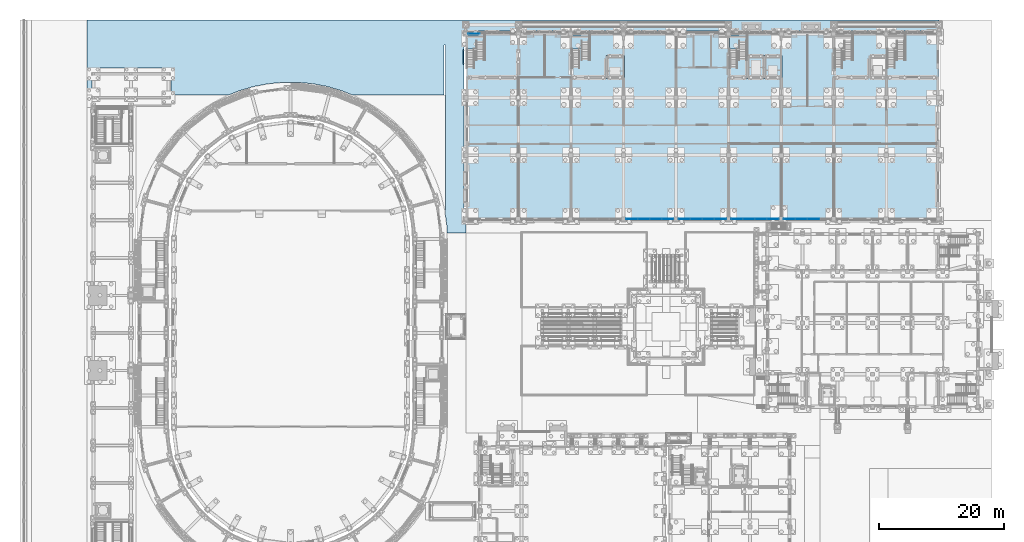
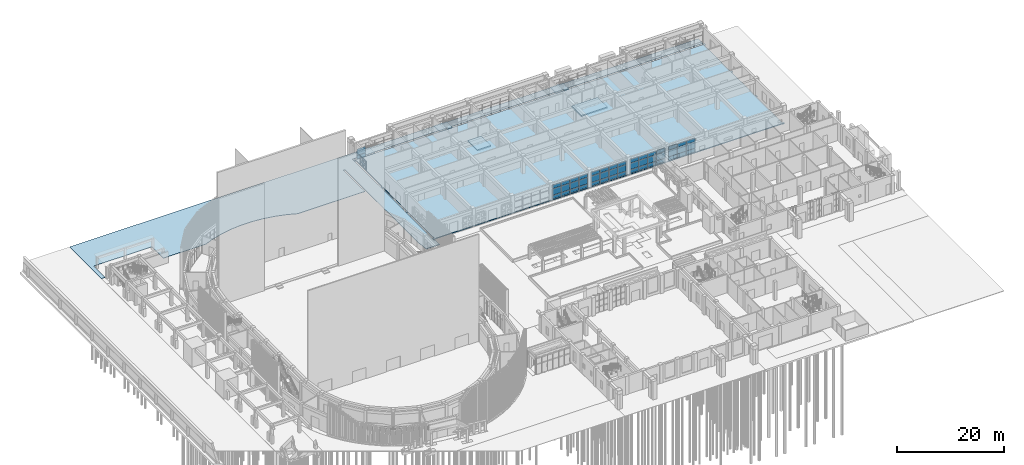
# One storey, part 55 of 112: 48 plates, 7 slabs, 8 elements without a shape of their own.
"""IFC4 building model written with IfcOpenShell, lengths in metres."""

from ifc_helpers import new_model, si_unit, direction, frame, origin, origin_2d, place, context, subcontext, project, spatial, polyline, rectangle, outline, extrude, material, layer, layer_set, material_profile, profile_set, type_object, element, aggregate, save


model = new_model("IFC4")

# Units and contexts
model_context = context("Model", 3, precision=1e-05, world=origin(), true_north=direction((0.0, 1.0)))
body_context = subcontext(model_context, "Body", "Model", "MODEL_VIEW")
ifc_project = project(units=[si_unit("LENGTHUNIT", "METRE"), si_unit("AREAUNIT", "SQUARE_METRE"), si_unit("VOLUMEUNIT", "CUBIC_METRE"), si_unit("PLANEANGLEUNIT", "RADIAN"), si_unit("MASSUNIT", "GRAM", prefix="KILO")], contexts=[model_context])

# Site, building, storey
site_placement = place(None, origin())
site = spatial("IfcSite", under=ifc_project, at=site_placement, CompositionType="ELEMENT")
building_placement = place(site_placement, origin())
building = spatial("IfcBuilding", under=site, at=building_placement, Name="Wasatch Bagh Community Centre", CompositionType="ELEMENT")
storey_placement = place(building_placement, origin())
storey = spatial("IfcBuildingStorey", under=building, at=storey_placement, Name="L00", CompositionType="ELEMENT", Elevation=0.0)

# Slab
ifc_material_1 = material(Name="Concrete C30", Category="concrete")
ifc_layer_1 = layer(ifc_material_1, 0.169921875)
ifc_layer_set_1 = layer_set([ifc_layer_1], Name="Concrete C30")
slab_type_1 = type_object("IfcSlabType", Name="FD-SG-LW", PredefinedType="BASESLAB", material=ifc_layer_set_1)
slab_1_placement = place(storey_placement, frame((0.0, 0.0, -0.169921875)))
element("IfcSlab", 1, at=slab_1_placement, inside=storey, type_object=slab_type_1, Name="Slab on grade LW", PredefinedType="BASESLAB", context=body_context, shape_type="SweptSolid", body=[
    extrude(outline(polyline([(64.10009765625, 68.39990234375), (64.10009765625, 78.199951171875), (63.800048828125, 78.199951171875), (63.800048828125, 78.60009765625), (64.10009765625, 78.60009765625), (64.10009765625, 87.39990234375), (63.800048828125, 87.39990234375), (63.800048828125, 87.800048828125), (64.10009765625, 87.800048828125), (64.10009765625, 97.60009765625), (63.800048828125, 97.60009765625), (63.800048828125, 98.0), (64.199951171875, 98.0), (64.199951171875, 97.89990234375), (139.39990234375, 97.89990234375), (139.39990234375, 98.0), (139.800048828125, 98.0), (139.800048828125, 97.60009765625), (139.5, 97.60009765625), (139.5, 87.800048828125), (139.800048828125, 87.800048828125), (139.800048828125, 87.39990234375), (139.5, 87.39990234375), (139.5, 78.60009765625), (139.800048828125, 78.60009765625), (139.800048828125, 78.199951171875), (139.5, 78.199951171875), (139.5, 68.39990234375), (139.800048828125, 68.39990234375), (139.800048828125, 68.0), (139.39990234375, 68.0), (139.39990234375, 68.10009765625), (64.199951171875, 68.10009765625), (64.199951171875, 68.0), (63.800048828125, 68.0), (63.800048828125, 68.39990234375), (64.10009765625, 68.39990234375)])), origin(), (0.0, 0.0, 1.0), 0.169921875),
])

# Curtain wall, plates
ifc_material_2 = material(Name="Aluminium curtain wall frame with low-iron glass", Category="aluminium")
ifc_layer_2 = layer(ifc_material_2, 0.10009765625)
ifc_layer_set_2 = layer_set([ifc_layer_2], Name="Aluminium curtain wall frame with low-iron glass")
curtain_wall_type_1 = type_object("IfcCurtainWallType", Name="LW curtain wall 100", PredefinedType="NOTDEFINED", material=ifc_layer_set_2)
curtain_wall_1_placement = place(storey_placement, origin())
curtain_wall_1 = element("IfcCurtainWall", 2, at=curtain_wall_1_placement, inside=storey, type_object=curtain_wall_type_1, Name="Curtain wall 00.06", PredefinedType="NOTDEFINED")
ifc_material_3 = material(Name="Low-iron insulated glass", Category="glass")
ifc_layer_3 = layer(ifc_material_3, 0.028076171875)
ifc_layer_set_3 = layer_set([ifc_layer_3], Name="Low-iron insulated glass")
plate_type_1 = type_object("IfcPlateType", Name="LW curtain wall panel 28", PredefinedType="CURTAIN_PANEL", material=ifc_layer_set_3)
plate_1_placement = place(storey_placement, frame((65.327392578125, 97.800048828125, 0.06005859375), z_axis=(0.0, 0.0, 1.0), x_axis=(1.0, 0.0, 0.0)))
plate_1 = element("IfcPlate", 3, at=plate_1_placement, type_object=plate_type_1, Name="LW-CW1 panel 1.1", PredefinedType="CURTAIN_PANEL", context=body_context, shape_type="SweptSolid", body=[
    extrude(rectangle(XDim=1.8349609375, YDim=0.028076171875, at=origin_2d()), origin(), (0.0, 0.0, 1.0), 0.81005859375),
])
plate_2_placement = place(storey_placement, frame((65.327392578125, 97.800048828125, 0.929931640625), z_axis=(0.0, 0.0, 1.0), x_axis=(1.0, 0.0, 0.0)))
plate_2 = element("IfcPlate", 4, at=plate_2_placement, type_object=plate_type_1, Name="LW-CW1 panel 1.2", PredefinedType="CURTAIN_PANEL", context=body_context, shape_type="SweptSolid", body=[
    extrude(rectangle(XDim=1.8349609375, YDim=0.028076171875, at=origin_2d()), origin(), (0.0, 0.0, 1.0), 1.43994140625),
])
aggregate(curtain_wall_1, [plate_1, plate_2])

ifc_layer_4 = layer(ifc_material_2, 0.139892578125)
ifc_layer_set_4 = layer_set([ifc_layer_4], Name="Aluminium curtain wall frame with low-iron glass")
curtain_wall_type_2 = type_object("IfcCurtainWallType", Name="LW terrace front curtain wall 140", PredefinedType="NOTDEFINED", material=ifc_layer_set_4)
curtain_wall_2_placement = place(storey_placement, origin())
curtain_wall_2 = element("IfcCurtainWall", 5, at=curtain_wall_2_placement, inside=storey, type_object=curtain_wall_type_2, Name="Curtain wall 00.02", PredefinedType="NOTDEFINED")
ifc_layer_5 = layer(ifc_material_3, 0.028076171875)
ifc_layer_set_5 = layer_set([ifc_layer_5], Name="Low-iron insulated glass")
plate_type_2 = type_object("IfcPlateType", Name="LW curtain wall panel 28 LW-CW3", PredefinedType="CURTAIN_PANEL", material=ifc_layer_set_5)
plate_3_placement = place(storey_placement, frame((90.527587890625, 68.199951171875, 0.06005859375), z_axis=(0.0, 0.0, 1.0), x_axis=(1.0, 0.0, 0.0)))
plate_3 = element("IfcPlate", 6, at=plate_3_placement, type_object=plate_type_2, Name="LW-CW3 panel 1.1", PredefinedType="CURTAIN_PANEL", context=body_context, shape_type="SweptSolid", body=[
    extrude(rectangle(XDim=1.8349609375, YDim=0.028076171875, at=origin_2d()), origin(), (0.0, 0.0, 1.0), 0.81005859375),
])
plate_4_placement = place(storey_placement, frame((90.527587890625, 68.199951171875, 0.929931640625), z_axis=(0.0, 0.0, 1.0), x_axis=(1.0, 0.0, 0.0)))
plate_4 = element("IfcPlate", 7, at=plate_4_placement, type_object=plate_type_2, Name="LW-CW3 panel 1.2", PredefinedType="CURTAIN_PANEL", context=body_context, shape_type="SweptSolid", body=[
    extrude(rectangle(XDim=1.8349609375, YDim=0.028076171875, at=origin_2d()), origin(), (0.0, 0.0, 1.0), 1.43994140625),
])
plate_5_placement = place(storey_placement, frame((90.527587890625, 68.199951171875, 2.429931640625), z_axis=(0.0, 0.0, 1.0), x_axis=(1.0, 0.0, 0.0)))
plate_5 = element("IfcPlate", 8, at=plate_5_placement, type_object=plate_type_2, Name="LW-CW3 panel 1.3", PredefinedType="CURTAIN_PANEL", context=body_context, shape_type="SweptSolid", body=[
    extrude(rectangle(XDim=1.8349609375, YDim=0.028076171875, at=origin_2d()), origin(), (0.0, 0.0, 1.0), 0.830078125),
])
plate_6_placement = place(storey_placement, frame((92.4375, 68.199951171875, 0.06005859375), z_axis=(0.0, 0.0, 1.0), x_axis=(1.0, 0.0, 0.0)))
plate_6 = element("IfcPlate", 9, at=plate_6_placement, type_object=plate_type_2, Name="LW-CW3 panel 2.1", PredefinedType="CURTAIN_PANEL", context=body_context, shape_type="SweptSolid", body=[
    extrude(rectangle(XDim=1.864990234375, YDim=0.028076171875, at=origin_2d()), origin(), (0.0, 0.0, 1.0), 0.81005859375),
])
plate_7_placement = place(storey_placement, frame((92.4375, 68.199951171875, 0.929931640625), z_axis=(0.0, 0.0, 1.0), x_axis=(1.0, 0.0, 0.0)))
plate_7 = element("IfcPlate", 10, at=plate_7_placement, type_object=plate_type_2, Name="LW-CW3 panel 2.2", PredefinedType="CURTAIN_PANEL", context=body_context, shape_type="SweptSolid", body=[
    extrude(rectangle(XDim=1.864990234375, YDim=0.028076171875, at=origin_2d()), origin(), (0.0, 0.0, 1.0), 1.43994140625),
])
plate_8_placement = place(storey_placement, frame((92.4375, 68.199951171875, 2.429931640625), z_axis=(0.0, 0.0, 1.0), x_axis=(1.0, 0.0, 0.0)))
plate_8 = element("IfcPlate", 11, at=plate_8_placement, type_object=plate_type_2, Name="LW-CW3 panel 2.3", PredefinedType="CURTAIN_PANEL", context=body_context, shape_type="SweptSolid", body=[
    extrude(rectangle(XDim=1.864990234375, YDim=0.028076171875, at=origin_2d()), origin(), (0.0, 0.0, 1.0), 0.830078125),
])
plate_9_placement = place(storey_placement, frame((94.362548828125, 68.199951171875, 0.06005859375), z_axis=(0.0, 0.0, 1.0), x_axis=(1.0, 0.0, 0.0)))
plate_9 = element("IfcPlate", 12, at=plate_9_placement, type_object=plate_type_2, Name="LW-CW3 panel 3.1", PredefinedType="CURTAIN_PANEL", context=body_context, shape_type="SweptSolid", body=[
    extrude(rectangle(XDim=1.864990234375, YDim=0.028076171875, at=origin_2d()), origin(), (0.0, 0.0, 1.0), 0.81005859375),
])
plate_10_placement = place(storey_placement, frame((94.362548828125, 68.199951171875, 0.929931640625), z_axis=(0.0, 0.0, 1.0), x_axis=(1.0, 0.0, 0.0)))
plate_10 = element("IfcPlate", 13, at=plate_10_placement, type_object=plate_type_2, Name="LW-CW3 panel 3.2", PredefinedType="CURTAIN_PANEL", context=body_context, shape_type="SweptSolid", body=[
    extrude(rectangle(XDim=1.864990234375, YDim=0.028076171875, at=origin_2d()), origin(), (0.0, 0.0, 1.0), 1.43994140625),
])
plate_11_placement = place(storey_placement, frame((94.362548828125, 68.199951171875, 2.429931640625), z_axis=(0.0, 0.0, 1.0), x_axis=(1.0, 0.0, 0.0)))
plate_11 = element("IfcPlate", 14, at=plate_11_placement, type_object=plate_type_2, Name="LW-CW3 panel 3.3", PredefinedType="CURTAIN_PANEL", context=body_context, shape_type="SweptSolid", body=[
    extrude(rectangle(XDim=1.864990234375, YDim=0.028076171875, at=origin_2d()), origin(), (0.0, 0.0, 1.0), 0.830078125),
])
plate_12_placement = place(storey_placement, frame((96.2724609375, 68.199951171875, 0.06005859375), z_axis=(0.0, 0.0, 1.0), x_axis=(1.0, 0.0, 0.0)))
plate_12 = element("IfcPlate", 15, at=plate_12_placement, type_object=plate_type_2, Name="LW-CW3 panel 4.1", PredefinedType="CURTAIN_PANEL", context=body_context, shape_type="SweptSolid", body=[
    extrude(rectangle(XDim=1.8349609375, YDim=0.028076171875, at=origin_2d()), origin(), (0.0, 0.0, 1.0), 0.81005859375),
])
plate_13_placement = place(storey_placement, frame((96.2724609375, 68.199951171875, 0.929931640625), z_axis=(0.0, 0.0, 1.0), x_axis=(1.0, 0.0, 0.0)))
plate_13 = element("IfcPlate", 16, at=plate_13_placement, type_object=plate_type_2, Name="LW-CW3 panel 4.2", PredefinedType="CURTAIN_PANEL", context=body_context, shape_type="SweptSolid", body=[
    extrude(rectangle(XDim=1.8349609375, YDim=0.028076171875, at=origin_2d()), origin(), (0.0, 0.0, 1.0), 1.43994140625),
])
plate_14_placement = place(storey_placement, frame((96.2724609375, 68.199951171875, 2.429931640625), z_axis=(0.0, 0.0, 1.0), x_axis=(1.0, 0.0, 0.0)))
plate_14 = element("IfcPlate", 17, at=plate_14_placement, type_object=plate_type_2, Name="LW-CW3 panel 4.3", PredefinedType="CURTAIN_PANEL", context=body_context, shape_type="SweptSolid", body=[
    extrude(rectangle(XDim=1.8349609375, YDim=0.028076171875, at=origin_2d()), origin(), (0.0, 0.0, 1.0), 0.830078125),
])
aggregate(curtain_wall_2, [plate_3, plate_4, plate_5, plate_6, plate_7, plate_8, plate_9, plate_10, plate_11, plate_12, plate_13, plate_14])

curtain_wall_3_placement = place(storey_placement, origin())
curtain_wall_3 = element("IfcCurtainWall", 18, at=curtain_wall_3_placement, inside=storey, type_object=curtain_wall_type_2, Name="Curtain wall 00.03", PredefinedType="NOTDEFINED")
plate_15_placement = place(storey_placement, frame((98.927490234375, 68.199951171875, 0.06005859375), z_axis=(0.0, 0.0, 1.0), x_axis=(1.0, 0.0, 0.0)))
plate_15 = element("IfcPlate", 19, at=plate_15_placement, type_object=plate_type_2, Name="LW-CW3 panel 1.1", PredefinedType="CURTAIN_PANEL", context=body_context, shape_type="SweptSolid", body=[
    extrude(rectangle(XDim=1.8349609375, YDim=0.028076171875, at=origin_2d()), origin(), (0.0, 0.0, 1.0), 0.81005859375),
])
plate_16_placement = place(storey_placement, frame((98.927490234375, 68.199951171875, 0.929931640625), z_axis=(0.0, 0.0, 1.0), x_axis=(1.0, 0.0, 0.0)))
plate_16 = element("IfcPlate", 20, at=plate_16_placement, type_object=plate_type_2, Name="LW-CW3 panel 1.2", PredefinedType="CURTAIN_PANEL", context=body_context, shape_type="SweptSolid", body=[
    extrude(rectangle(XDim=1.8349609375, YDim=0.028076171875, at=origin_2d()), origin(), (0.0, 0.0, 1.0), 1.43994140625),
])
plate_17_placement = place(storey_placement, frame((98.927490234375, 68.199951171875, 2.429931640625), z_axis=(0.0, 0.0, 1.0), x_axis=(1.0, 0.0, 0.0)))
plate_17 = element("IfcPlate", 21, at=plate_17_placement, type_object=plate_type_2, Name="LW-CW3 panel 1.3", PredefinedType="CURTAIN_PANEL", context=body_context, shape_type="SweptSolid", body=[
    extrude(rectangle(XDim=1.8349609375, YDim=0.028076171875, at=origin_2d()), origin(), (0.0, 0.0, 1.0), 0.830078125),
])
plate_18_placement = place(storey_placement, frame((100.83740234375, 68.199951171875, 0.06005859375), z_axis=(0.0, 0.0, 1.0), x_axis=(1.0, 0.0, 0.0)))
plate_18 = element("IfcPlate", 22, at=plate_18_placement, type_object=plate_type_2, Name="LW-CW3 panel 2.1", PredefinedType="CURTAIN_PANEL", context=body_context, shape_type="SweptSolid", body=[
    extrude(rectangle(XDim=1.864990234375, YDim=0.028076171875, at=origin_2d()), origin(), (0.0, 0.0, 1.0), 0.81005859375),
])
plate_19_placement = place(storey_placement, frame((100.83740234375, 68.199951171875, 0.929931640625), z_axis=(0.0, 0.0, 1.0), x_axis=(1.0, 0.0, 0.0)))
plate_19 = element("IfcPlate", 23, at=plate_19_placement, type_object=plate_type_2, Name="LW-CW3 panel 2.2", PredefinedType="CURTAIN_PANEL", context=body_context, shape_type="SweptSolid", body=[
    extrude(rectangle(XDim=1.864990234375, YDim=0.028076171875, at=origin_2d()), origin(), (0.0, 0.0, 1.0), 1.43994140625),
])
plate_20_placement = place(storey_placement, frame((100.83740234375, 68.199951171875, 2.429931640625), z_axis=(0.0, 0.0, 1.0), x_axis=(1.0, 0.0, 0.0)))
plate_20 = element("IfcPlate", 24, at=plate_20_placement, type_object=plate_type_2, Name="LW-CW3 panel 2.3", PredefinedType="CURTAIN_PANEL", context=body_context, shape_type="SweptSolid", body=[
    extrude(rectangle(XDim=1.864990234375, YDim=0.028076171875, at=origin_2d()), origin(), (0.0, 0.0, 1.0), 0.830078125),
])
plate_21_placement = place(storey_placement, frame((102.762451171875, 68.199951171875, 0.06005859375), z_axis=(0.0, 0.0, 1.0), x_axis=(1.0, 0.0, 0.0)))
plate_21 = element("IfcPlate", 25, at=plate_21_placement, type_object=plate_type_2, Name="LW-CW3 panel 3.1", PredefinedType="CURTAIN_PANEL", context=body_context, shape_type="SweptSolid", body=[
    extrude(rectangle(XDim=1.864990234375, YDim=0.028076171875, at=origin_2d()), origin(), (0.0, 0.0, 1.0), 0.81005859375),
])
plate_22_placement = place(storey_placement, frame((102.762451171875, 68.199951171875, 0.929931640625), z_axis=(0.0, 0.0, 1.0), x_axis=(1.0, 0.0, 0.0)))
plate_22 = element("IfcPlate", 26, at=plate_22_placement, type_object=plate_type_2, Name="LW-CW3 panel 3.2", PredefinedType="CURTAIN_PANEL", context=body_context, shape_type="SweptSolid", body=[
    extrude(rectangle(XDim=1.864990234375, YDim=0.028076171875, at=origin_2d()), origin(), (0.0, 0.0, 1.0), 1.43994140625),
])
plate_23_placement = place(storey_placement, frame((102.762451171875, 68.199951171875, 2.429931640625), z_axis=(0.0, 0.0, 1.0), x_axis=(1.0, 0.0, 0.0)))
plate_23 = element("IfcPlate", 27, at=plate_23_placement, type_object=plate_type_2, Name="LW-CW3 panel 3.3", PredefinedType="CURTAIN_PANEL", context=body_context, shape_type="SweptSolid", body=[
    extrude(rectangle(XDim=1.864990234375, YDim=0.028076171875, at=origin_2d()), origin(), (0.0, 0.0, 1.0), 0.830078125),
])
plate_24_placement = place(storey_placement, frame((104.672607421875, 68.199951171875, 0.06005859375), z_axis=(0.0, 0.0, 1.0), x_axis=(1.0, 0.0, 0.0)))
plate_24 = element("IfcPlate", 28, at=plate_24_placement, type_object=plate_type_2, Name="LW-CW3 panel 4.1", PredefinedType="CURTAIN_PANEL", context=body_context, shape_type="SweptSolid", body=[
    extrude(rectangle(XDim=1.8349609375, YDim=0.028076171875, at=origin_2d()), origin(), (0.0, 0.0, 1.0), 0.81005859375),
])
plate_25_placement = place(storey_placement, frame((104.672607421875, 68.199951171875, 0.929931640625), z_axis=(0.0, 0.0, 1.0), x_axis=(1.0, 0.0, 0.0)))
plate_25 = element("IfcPlate", 29, at=plate_25_placement, type_object=plate_type_2, Name="LW-CW3 panel 4.2", PredefinedType="CURTAIN_PANEL", context=body_context, shape_type="SweptSolid", body=[
    extrude(rectangle(XDim=1.8349609375, YDim=0.028076171875, at=origin_2d()), origin(), (0.0, 0.0, 1.0), 1.43994140625),
])
plate_26_placement = place(storey_placement, frame((104.672607421875, 68.199951171875, 2.429931640625), z_axis=(0.0, 0.0, 1.0), x_axis=(1.0, 0.0, 0.0)))
plate_26 = element("IfcPlate", 30, at=plate_26_placement, type_object=plate_type_2, Name="LW-CW3 panel 4.3", PredefinedType="CURTAIN_PANEL", context=body_context, shape_type="SweptSolid", body=[
    extrude(rectangle(XDim=1.8349609375, YDim=0.028076171875, at=origin_2d()), origin(), (0.0, 0.0, 1.0), 0.830078125),
])
aggregate(curtain_wall_3, [plate_15, plate_16, plate_17, plate_18, plate_19, plate_20, plate_21, plate_22, plate_23, plate_24, plate_25, plate_26])

curtain_wall_4_placement = place(storey_placement, origin())
curtain_wall_4 = element("IfcCurtainWall", 31, at=curtain_wall_4_placement, inside=storey, type_object=curtain_wall_type_2, Name="Curtain wall 00.04", PredefinedType="NOTDEFINED")
plate_27_placement = place(storey_placement, frame((107.327392578125, 68.199951171875, 0.06005859375), z_axis=(0.0, 0.0, 1.0), x_axis=(1.0, 0.0, 0.0)))
plate_27 = element("IfcPlate", 32, at=plate_27_placement, type_object=plate_type_2, Name="LW-CW3 panel 1.1", PredefinedType="CURTAIN_PANEL", context=body_context, shape_type="SweptSolid", body=[
    extrude(rectangle(XDim=1.8349609375, YDim=0.028076171875, at=origin_2d()), origin(), (0.0, 0.0, 1.0), 0.81005859375),
])
plate_28_placement = place(storey_placement, frame((107.327392578125, 68.199951171875, 0.929931640625), z_axis=(0.0, 0.0, 1.0), x_axis=(1.0, 0.0, 0.0)))
plate_28 = element("IfcPlate", 33, at=plate_28_placement, type_object=plate_type_2, Name="LW-CW3 panel 1.2", PredefinedType="CURTAIN_PANEL", context=body_context, shape_type="SweptSolid", body=[
    extrude(rectangle(XDim=1.8349609375, YDim=0.028076171875, at=origin_2d()), origin(), (0.0, 0.0, 1.0), 1.43994140625),
])
plate_29_placement = place(storey_placement, frame((107.327392578125, 68.199951171875, 2.429931640625), z_axis=(0.0, 0.0, 1.0), x_axis=(1.0, 0.0, 0.0)))
plate_29 = element("IfcPlate", 34, at=plate_29_placement, type_object=plate_type_2, Name="LW-CW3 panel 1.3", PredefinedType="CURTAIN_PANEL", context=body_context, shape_type="SweptSolid", body=[
    extrude(rectangle(XDim=1.8349609375, YDim=0.028076171875, at=origin_2d()), origin(), (0.0, 0.0, 1.0), 0.830078125),
])
plate_30_placement = place(storey_placement, frame((109.237548828125, 68.199951171875, 0.06005859375), z_axis=(0.0, 0.0, 1.0), x_axis=(1.0, 0.0, 0.0)))
plate_30 = element("IfcPlate", 35, at=plate_30_placement, type_object=plate_type_2, Name="LW-CW3 panel 2.1", PredefinedType="CURTAIN_PANEL", context=body_context, shape_type="SweptSolid", body=[
    extrude(rectangle(XDim=1.864990234375, YDim=0.028076171875, at=origin_2d()), origin(), (0.0, 0.0, 1.0), 0.81005859375),
])
plate_31_placement = place(storey_placement, frame((109.237548828125, 68.199951171875, 0.929931640625), z_axis=(0.0, 0.0, 1.0), x_axis=(1.0, 0.0, 0.0)))
plate_31 = element("IfcPlate", 36, at=plate_31_placement, type_object=plate_type_2, Name="LW-CW3 panel 2.2", PredefinedType="CURTAIN_PANEL", context=body_context, shape_type="SweptSolid", body=[
    extrude(rectangle(XDim=1.864990234375, YDim=0.028076171875, at=origin_2d()), origin(), (0.0, 0.0, 1.0), 1.43994140625),
])
plate_32_placement = place(storey_placement, frame((109.237548828125, 68.199951171875, 2.429931640625), z_axis=(0.0, 0.0, 1.0), x_axis=(1.0, 0.0, 0.0)))
plate_32 = element("IfcPlate", 37, at=plate_32_placement, type_object=plate_type_2, Name="LW-CW3 panel 2.3", PredefinedType="CURTAIN_PANEL", context=body_context, shape_type="SweptSolid", body=[
    extrude(rectangle(XDim=1.864990234375, YDim=0.028076171875, at=origin_2d()), origin(), (0.0, 0.0, 1.0), 0.830078125),
])
plate_33_placement = place(storey_placement, frame((111.16259765625, 68.199951171875, 0.06005859375), z_axis=(0.0, 0.0, 1.0), x_axis=(1.0, 0.0, 0.0)))
plate_33 = element("IfcPlate", 38, at=plate_33_placement, type_object=plate_type_2, Name="LW-CW3 panel 3.1", PredefinedType="CURTAIN_PANEL", context=body_context, shape_type="SweptSolid", body=[
    extrude(rectangle(XDim=1.864990234375, YDim=0.028076171875, at=origin_2d()), origin(), (0.0, 0.0, 1.0), 0.81005859375),
])
plate_34_placement = place(storey_placement, frame((111.16259765625, 68.199951171875, 0.929931640625), z_axis=(0.0, 0.0, 1.0), x_axis=(1.0, 0.0, 0.0)))
plate_34 = element("IfcPlate", 39, at=plate_34_placement, type_object=plate_type_2, Name="LW-CW3 panel 3.2", PredefinedType="CURTAIN_PANEL", context=body_context, shape_type="SweptSolid", body=[
    extrude(rectangle(XDim=1.864990234375, YDim=0.028076171875, at=origin_2d()), origin(), (0.0, 0.0, 1.0), 1.43994140625),
])
plate_35_placement = place(storey_placement, frame((111.16259765625, 68.199951171875, 2.429931640625), z_axis=(0.0, 0.0, 1.0), x_axis=(1.0, 0.0, 0.0)))
plate_35 = element("IfcPlate", 40, at=plate_35_placement, type_object=plate_type_2, Name="LW-CW3 panel 3.3", PredefinedType="CURTAIN_PANEL", context=body_context, shape_type="SweptSolid", body=[
    extrude(rectangle(XDim=1.864990234375, YDim=0.028076171875, at=origin_2d()), origin(), (0.0, 0.0, 1.0), 0.830078125),
])
plate_36_placement = place(storey_placement, frame((113.072509765625, 68.199951171875, 0.06005859375), z_axis=(0.0, 0.0, 1.0), x_axis=(1.0, 0.0, 0.0)))
plate_36 = element("IfcPlate", 41, at=plate_36_placement, type_object=plate_type_2, Name="LW-CW3 panel 4.1", PredefinedType="CURTAIN_PANEL", context=body_context, shape_type="SweptSolid", body=[
    extrude(rectangle(XDim=1.8349609375, YDim=0.028076171875, at=origin_2d()), origin(), (0.0, 0.0, 1.0), 0.81005859375),
])
plate_37_placement = place(storey_placement, frame((113.072509765625, 68.199951171875, 0.929931640625), z_axis=(0.0, 0.0, 1.0), x_axis=(1.0, 0.0, 0.0)))
plate_37 = element("IfcPlate", 42, at=plate_37_placement, type_object=plate_type_2, Name="LW-CW3 panel 4.2", PredefinedType="CURTAIN_PANEL", context=body_context, shape_type="SweptSolid", body=[
    extrude(rectangle(XDim=1.8349609375, YDim=0.028076171875, at=origin_2d()), origin(), (0.0, 0.0, 1.0), 1.43994140625),
])
plate_38_placement = place(storey_placement, frame((113.072509765625, 68.199951171875, 2.429931640625), z_axis=(0.0, 0.0, 1.0), x_axis=(1.0, 0.0, 0.0)))
plate_38 = element("IfcPlate", 43, at=plate_38_placement, type_object=plate_type_2, Name="LW-CW3 panel 4.3", PredefinedType="CURTAIN_PANEL", context=body_context, shape_type="SweptSolid", body=[
    extrude(rectangle(XDim=1.8349609375, YDim=0.028076171875, at=origin_2d()), origin(), (0.0, 0.0, 1.0), 0.830078125),
])
aggregate(curtain_wall_4, [plate_27, plate_28, plate_29, plate_30, plate_31, plate_32, plate_33, plate_34, plate_35, plate_36, plate_37, plate_38])

curtain_wall_5_placement = place(storey_placement, origin())
curtain_wall_5 = element("IfcCurtainWall", 44, at=curtain_wall_5_placement, inside=storey, type_object=curtain_wall_type_2, Name="Curtain wall 00.05", PredefinedType="NOTDEFINED")
plate_39_placement = place(storey_placement, frame((115.7275390625, 68.199951171875, 0.06005859375), z_axis=(0.0, 0.0, 1.0), x_axis=(1.0, 0.0, 0.0)))
plate_39 = element("IfcPlate", 45, at=plate_39_placement, type_object=plate_type_2, Name="LW-CW3 panel 1.1", PredefinedType="CURTAIN_PANEL", context=body_context, shape_type="SweptSolid", body=[
    extrude(rectangle(XDim=1.8349609375, YDim=0.028076171875, at=origin_2d()), origin(), (0.0, 0.0, 1.0), 0.81005859375),
])
plate_40_placement = place(storey_placement, frame((115.7275390625, 68.199951171875, 0.929931640625), z_axis=(0.0, 0.0, 1.0), x_axis=(1.0, 0.0, 0.0)))
plate_40 = element("IfcPlate", 46, at=plate_40_placement, type_object=plate_type_2, Name="LW-CW3 panel 1.2", PredefinedType="CURTAIN_PANEL", context=body_context, shape_type="SweptSolid", body=[
    extrude(rectangle(XDim=1.8349609375, YDim=0.028076171875, at=origin_2d()), origin(), (0.0, 0.0, 1.0), 1.43994140625),
])
plate_41_placement = place(storey_placement, frame((115.7275390625, 68.199951171875, 2.429931640625), z_axis=(0.0, 0.0, 1.0), x_axis=(1.0, 0.0, 0.0)))
plate_41 = element("IfcPlate", 47, at=plate_41_placement, type_object=plate_type_2, Name="LW-CW3 panel 1.3", PredefinedType="CURTAIN_PANEL", context=body_context, shape_type="SweptSolid", body=[
    extrude(rectangle(XDim=1.8349609375, YDim=0.028076171875, at=origin_2d()), origin(), (0.0, 0.0, 1.0), 0.830078125),
])
plate_42_placement = place(storey_placement, frame((117.637451171875, 68.199951171875, 0.06005859375), z_axis=(0.0, 0.0, 1.0), x_axis=(1.0, 0.0, 0.0)))
plate_42 = element("IfcPlate", 48, at=plate_42_placement, type_object=plate_type_2, Name="LW-CW3 panel 2.1", PredefinedType="CURTAIN_PANEL", context=body_context, shape_type="SweptSolid", body=[
    extrude(rectangle(XDim=1.864990234375, YDim=0.028076171875, at=origin_2d()), origin(), (0.0, 0.0, 1.0), 0.81005859375),
])
plate_43_placement = place(storey_placement, frame((117.637451171875, 68.199951171875, 0.929931640625), z_axis=(0.0, 0.0, 1.0), x_axis=(1.0, 0.0, 0.0)))
plate_43 = element("IfcPlate", 49, at=plate_43_placement, type_object=plate_type_2, Name="LW-CW3 panel 2.2", PredefinedType="CURTAIN_PANEL", context=body_context, shape_type="SweptSolid", body=[
    extrude(rectangle(XDim=1.864990234375, YDim=0.028076171875, at=origin_2d()), origin(), (0.0, 0.0, 1.0), 1.43994140625),
])
plate_44_placement = place(storey_placement, frame((117.637451171875, 68.199951171875, 2.429931640625), z_axis=(0.0, 0.0, 1.0), x_axis=(1.0, 0.0, 0.0)))
plate_44 = element("IfcPlate", 50, at=plate_44_placement, type_object=plate_type_2, Name="LW-CW3 panel 2.3", PredefinedType="CURTAIN_PANEL", context=body_context, shape_type="SweptSolid", body=[
    extrude(rectangle(XDim=1.864990234375, YDim=0.028076171875, at=origin_2d()), origin(), (0.0, 0.0, 1.0), 0.830078125),
])
plate_45_placement = place(storey_placement, frame((119.5625, 68.199951171875, 0.06005859375), z_axis=(0.0, 0.0, 1.0), x_axis=(1.0, 0.0, 0.0)))
plate_45 = element("IfcPlate", 51, at=plate_45_placement, type_object=plate_type_2, Name="LW-CW3 panel 3.1", PredefinedType="CURTAIN_PANEL", context=body_context, shape_type="SweptSolid", body=[
    extrude(rectangle(XDim=1.864990234375, YDim=0.028076171875, at=origin_2d()), origin(), (0.0, 0.0, 1.0), 0.81005859375),
])
plate_46_placement = place(storey_placement, frame((119.5625, 68.199951171875, 0.929931640625), z_axis=(0.0, 0.0, 1.0), x_axis=(1.0, 0.0, 0.0)))
plate_46 = element("IfcPlate", 52, at=plate_46_placement, type_object=plate_type_2, Name="LW-CW3 panel 3.2", PredefinedType="CURTAIN_PANEL", context=body_context, shape_type="SweptSolid", body=[
    extrude(rectangle(XDim=1.864990234375, YDim=0.028076171875, at=origin_2d()), origin(), (0.0, 0.0, 1.0), 1.43994140625),
])
plate_47_placement = place(storey_placement, frame((119.5625, 68.199951171875, 2.429931640625), z_axis=(0.0, 0.0, 1.0), x_axis=(1.0, 0.0, 0.0)))
plate_47 = element("IfcPlate", 53, at=plate_47_placement, type_object=plate_type_2, Name="LW-CW3 panel 3.3", PredefinedType="CURTAIN_PANEL", context=body_context, shape_type="SweptSolid", body=[
    extrude(rectangle(XDim=1.864990234375, YDim=0.028076171875, at=origin_2d()), origin(), (0.0, 0.0, 1.0), 0.830078125),
])
aggregate(curtain_wall_5, [plate_39, plate_40, plate_41, plate_42, plate_43, plate_44, plate_45, plate_46, plate_47])

# Plate
ifc_material_4 = material(Name="Precast concrete C40/50", Category="concrete")
ifc_material_profile = material_profile(ifc_material_4, outline(polyline([(-1.159912109375, -1.159912109375), (1.159912109375, -1.159912109375), (1.159912109375, 1.159912109375), (-1.159912109375, 1.159912109375), (-1.159912109375, -1.159912109375)]), holes=[polyline([(-0.919921875, -0.919921875), (-0.14990234375, -0.919921875), (-0.14990234375, -0.14990234375), (-0.919921875, -0.14990234375), (-0.919921875, -0.919921875)]), polyline([(-0.919921875, 0.14990234375), (-0.14990234375, 0.14990234375), (-0.14990234375, 0.919921875), (-0.919921875, 0.919921875), (-0.919921875, 0.14990234375)]), polyline([(0.14990234375, -0.919921875), (0.919921875, -0.919921875), (0.919921875, -0.14990234375), (0.14990234375, -0.14990234375), (0.14990234375, -0.919921875)]), polyline([(0.14990234375, 0.14990234375), (0.919921875, 0.14990234375), (0.919921875, 0.919921875), (0.14990234375, 0.919921875), (0.14990234375, 0.14990234375)])]), Name="Jali lattice")
ifc_profile_set = profile_set([ifc_material_profile], Name="Precast concrete C40/50")
plate_type_3 = type_object("IfcPlateType", Name="LW jali panel 2320x2320", PredefinedType="SHEET", material=ifc_profile_set)
plate_48_placement = place(storey_placement, frame((63.699951171875, 94.10009765625, 1.659912109375), z_axis=(-1.0, 0.0, 0.0), x_axis=(0.0, -1.0, 0.0)))
element("IfcPlate", 54, at=plate_48_placement, inside=storey, type_object=plate_type_3, Name="Jali panel", PredefinedType="SHEET", context=body_context, shape_type="SweptSolid", body=[
    extrude(outline(polyline([(-1.159912109375, -1.159912109375), (1.159912109375, -1.159912109375), (1.159912109375, 1.159912109375), (-1.159912109375, 1.159912109375), (-1.159912109375, -1.159912109375)]), holes=[polyline([(-0.919921875, -0.919921875), (-0.14990234375, -0.919921875), (-0.14990234375, -0.14990234375), (-0.919921875, -0.14990234375), (-0.919921875, -0.919921875)]), polyline([(-0.919921875, 0.14990234375), (-0.14990234375, 0.14990234375), (-0.14990234375, 0.919921875), (-0.919921875, 0.919921875), (-0.919921875, 0.14990234375)]), polyline([(0.14990234375, -0.919921875), (0.919921875, -0.919921875), (0.919921875, -0.14990234375), (0.14990234375, -0.14990234375), (0.14990234375, -0.919921875)]), polyline([(0.14990234375, 0.14990234375), (0.919921875, 0.14990234375), (0.919921875, 0.919921875), (0.14990234375, 0.919921875), (0.14990234375, 0.14990234375)])]), origin(), (0.0, 0.0, 1.0), 0.070068359375),
])

# Slabs
ifc_layer_6 = layer(ifc_material_1, 0.300048828125)
ifc_layer_set_6 = layer_set([ifc_layer_6], Name="Concrete C30")
slab_type_2 = type_object("IfcSlabType", Name="LW lift pit slab 300", PredefinedType="BASESLAB", material=ifc_layer_set_6)
slab_2_placement = place(storey_placement, frame((0.0, 0.0, -1.5)))
element("IfcSlab", 55, at=slab_2_placement, inside=storey, type_object=slab_type_2, Name="LW.pit.C1.slab", PredefinedType="BASESLAB", context=body_context, shape_type="SweptSolid", body=[
    extrude(outline(polyline([(86.375, 90.675048828125), (89.324951171875, 90.675048828125), (89.324951171875, 94.324951171875), (86.375, 94.324951171875), (86.375, 90.675048828125)])), origin(), (0.0, 0.0, 1.0), 0.300048828125),
])
slab_3_placement = place(storey_placement, frame((0.0, 0.0, -1.5)))
element("IfcSlab", 56, at=slab_3_placement, inside=storey, type_object=slab_type_2, Name="LW.pit.C2.slab", PredefinedType="BASESLAB", context=body_context, shape_type="SweptSolid", body=[
    extrude(outline(polyline([(108.875, 90.675048828125), (114.52490234375, 90.675048828125), (114.52490234375, 94.324951171875), (108.875, 94.324951171875), (108.875, 90.675048828125)])), origin(), (0.0, 0.0, 1.0), 0.300048828125),
])

# Stair, slab
ifc_material_5 = material(Name="Concrete C35", Category="concrete")
stair_type = type_object("IfcStairType", Name="LW core stair", PredefinedType="HALF_TURN_STAIR", material=ifc_material_5)
stair_1_placement = place(storey_placement, origin())
stair_1 = element("IfcStair", 57, at=stair_1_placement, inside=storey, type_object=stair_type, Name="Stair West Stair", PredefinedType="HALF_TURN_STAIR")
ifc_layer_7 = layer(ifc_material_5, 0.199951171875)
ifc_layer_set_7 = layer_set([ifc_layer_7], Name="Concrete C35")
slab_type_3 = type_object("IfcSlabType", Name="LW stair landing 200", PredefinedType="LANDING", material=ifc_layer_set_7)
slab_4_placement = place(storey_placement, frame((0.0, 0.0, 1.89990234375)))
slab_4 = element("IfcSlab", 58, at=slab_4_placement, type_object=slab_type_3, Name="ST-WS-0 landing 1", PredefinedType="LANDING", context=body_context, shape_type="SweptSolid", body=[
    extrude(outline(polyline([(64.125, 95.360107421875), (66.93505859375, 95.360107421875), (66.93505859375, 97.60009765625), (64.125, 97.60009765625), (64.125, 95.360107421875)])), origin(), (0.0, 0.0, 1.0), 0.2001953125),
])
aggregate(stair_1, [slab_4])

stair_2_placement = place(storey_placement, origin())
stair_2 = element("IfcStair", 59, at=stair_2_placement, inside=storey, type_object=stair_type, Name="Stair Stair and Lift C1", PredefinedType="HALF_TURN_STAIR")
slab_5_placement = place(storey_placement, frame((0.0, 0.0, 1.89990234375)))
slab_5 = element("IfcSlab", 60, at=slab_5_placement, type_object=slab_type_3, Name="ST-C1-0 landing 1", PredefinedType="LANDING", context=body_context, shape_type="SweptSolid", body=[
    extrude(outline(polyline([(80.925048828125, 95.360107421875), (83.735107421875, 95.360107421875), (83.735107421875, 97.60009765625), (80.925048828125, 97.60009765625), (80.925048828125, 95.360107421875)])), origin(), (0.0, 0.0, 1.0), 0.2001953125),
])
aggregate(stair_2, [slab_5])

stair_3_placement = place(storey_placement, origin())
stair_3 = element("IfcStair", 61, at=stair_3_placement, inside=storey, type_object=stair_type, Name="Stair Stair and Lift C2", PredefinedType="HALF_TURN_STAIR")
slab_6_placement = place(storey_placement, frame((0.0, 0.0, 1.89990234375)))
slab_6 = element("IfcSlab", 62, at=slab_6_placement, type_object=slab_type_3, Name="ST-C2-0 landing 1", PredefinedType="LANDING", context=body_context, shape_type="SweptSolid", body=[
    extrude(outline(polyline([(106.125, 95.360107421875), (108.93505859375, 95.360107421875), (108.93505859375, 97.60009765625), (106.125, 97.60009765625), (106.125, 95.360107421875)])), origin(), (0.0, 0.0, 1.0), 0.2001953125),
])
aggregate(stair_3, [slab_6])

# Slab
ifc_layer_8 = layer(ifc_material_1, 0.10009765625)
ifc_layer_set_8 = layer_set([ifc_layer_8], Name="Concrete C30")
slab_type_4 = type_object("IfcSlabType", Name="SITE-P4 on grade", PredefinedType="BASESLAB", material=ifc_layer_set_8)
slab_7_placement = place(storey_placement, frame((0.0, 0.0, -0.10009765625)))
element("IfcSlab", 63, at=slab_7_placement, inside=storey, type_object=slab_type_4, Name="Paving - Bicycle store apron", PredefinedType="BASESLAB", context=body_context, shape_type="SweptSolid", body=[
    extrude(outline(polyline([(60.800048828125, 68.4716796875), (60.800048828125, 96.0), (60.5, 96.0), (60.5, 88.0), (45.926025390625, 88.0), (44.19970703125, 88.691162109375), (41.910400390625, 89.36328125), (39.56787109375, 89.814697265625), (37.19287109375, 90.04150390625), (34.80712890625, 90.04150390625), (32.43212890625, 89.814697265625), (30.089599609375, 89.36328125), (27.80029296875, 88.691162109375), (26.073974609375, 88.0), (16.89990234375, 88.0), (16.89990234375, 92.300048828125), (4.300048828125, 92.300048828125), (4.300048828125, 88.0), (3.5, 88.0), (3.5, 100.0), (139.60009765625, 100.0), (139.60009765625, 98.25), (63.75, 98.25), (63.75, 67.75), (64.0, 67.75), (64.0, 66.0), (61.0224609375, 66.0), (60.95654296875, 67.383056640625), (60.800048828125, 68.4716796875)])), origin(), (0.0, 0.0, 1.0), 0.10009765625),
])

save(model, "model.ifc")
